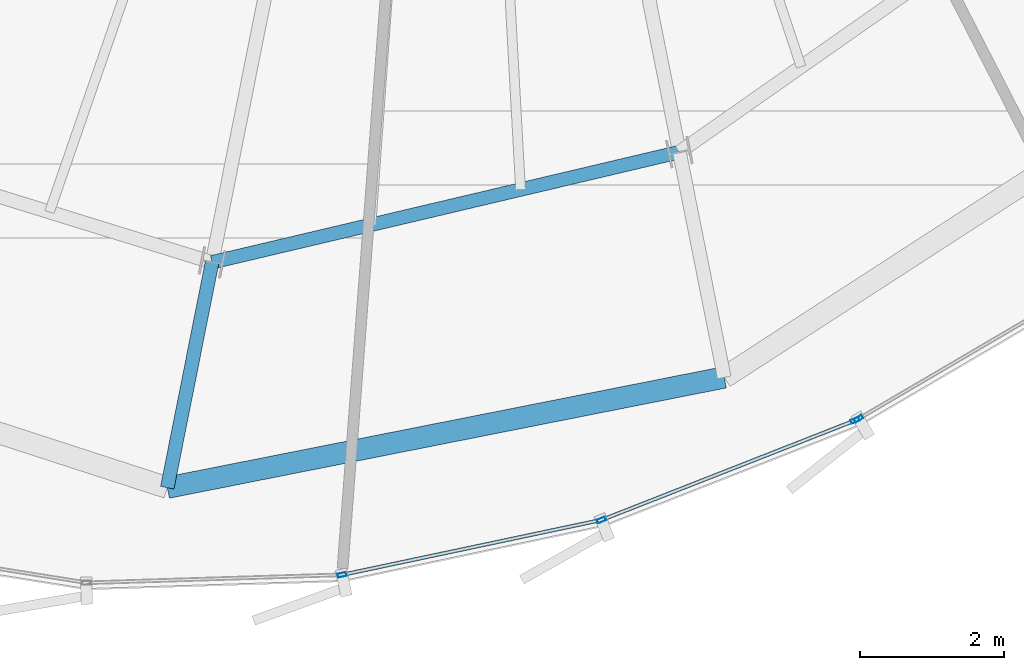
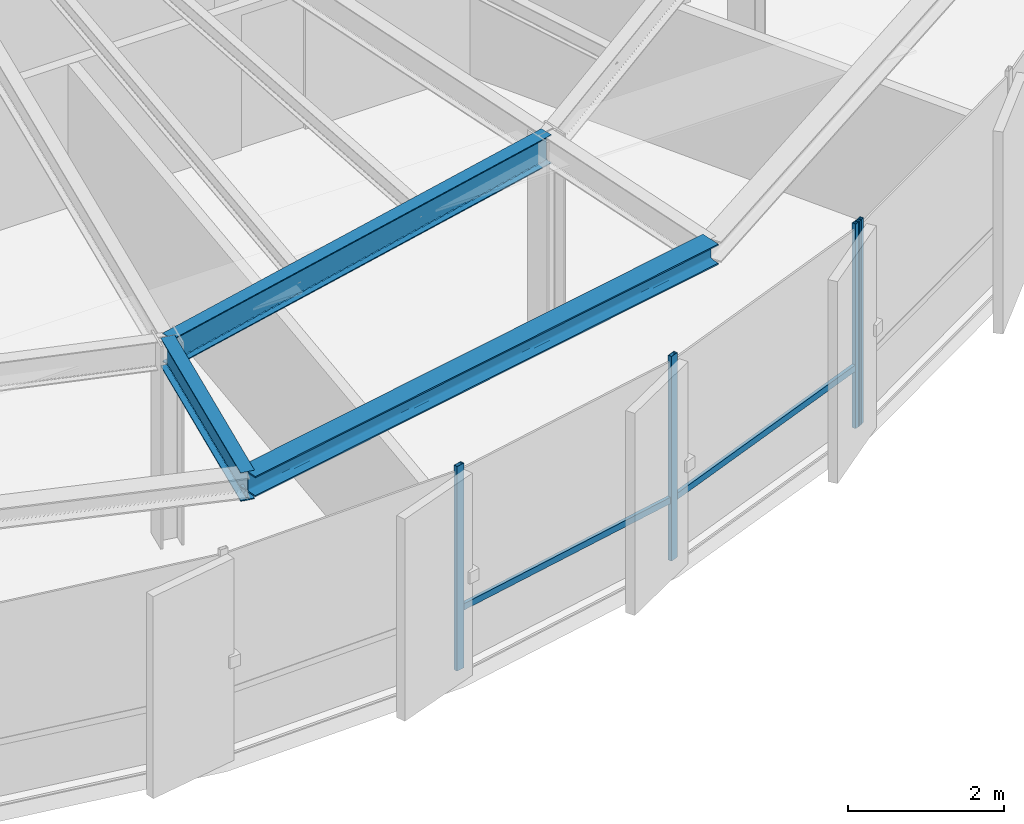
# One storey, part 6 of 36: 6 members, 3 beams, 2 elements without a shape of their own.
"""IFC4 building model written with IfcOpenShell, lengths in metres."""

from ifc_helpers import new_model, si_unit, direction, frame, origin, origin_2d, place, context, subcontext, project, spatial, hollow_rectangle, i_section, extrude, source, transform, mapped, material, layer, layer_set, material_profile, profile_set, type_object, element, aggregate, save


model = new_model("IFC4")

# Units and contexts
model_context = context("Model", 3, precision=1e-05, world=origin(), true_north=direction((0.0, 1.0)))
body_context = subcontext(model_context, "Body", "Model", "MODEL_VIEW")
ifc_project = project(units=[si_unit("LENGTHUNIT", "METRE"), si_unit("AREAUNIT", "SQUARE_METRE"), si_unit("VOLUMEUNIT", "CUBIC_METRE"), si_unit("PLANEANGLEUNIT", "RADIAN"), si_unit("MASSUNIT", "GRAM", prefix="KILO"), si_unit("THERMODYNAMICTEMPERATUREUNIT", "KELVIN")], contexts=[model_context])

# Site, building, storey
site_placement = place(None, origin())
site = spatial("IfcSite", under=ifc_project, at=site_placement, CompositionType="ELEMENT")
building_placement = place(site_placement, origin())
building = spatial("IfcBuilding", under=site, at=building_placement, Name="Kethvar Cultural Tower", CompositionType="ELEMENT")
storey_placement = place(building_placement, frame((0.0, 0.0, 242.199951171875)))
storey = spatial("IfcBuildingStorey", under=building, at=storey_placement, Name="L63", CompositionType="ELEMENT", Elevation=242.199951171875)

# Beams
ifc_material_1 = material(Name="Steel S355J2", Category="steel")
ifc_material_profile_1 = material_profile(ifc_material_1, i_section(OverallWidth=0.18994140625, OverallDepth=0.449951171875, WebThickness=0.009521484375, FlangeThickness=0.0146484375, FilletRadius=0.02099609375, at=origin_2d()), Name="Steel S355J2 — IPE450")
ifc_profile_set_1 = profile_set([ifc_material_profile_1], Name="Steel S355J2 — IPE450")
beam_type_1 = type_object("IfcBeamType", Name="BM-IPE450", PredefinedType="BEAM", material=ifc_profile_set_1)
shared_shape_1 = source(origin(), body_context, "Body", "SweptSolid", [
    extrude(i_section(OverallWidth=0.18994140625, OverallDepth=0.449951171875, WebThickness=0.009521484375, FlangeThickness=0.0146484375, FilletRadius=0.02099609375, at=origin_2d()), origin(), (0.0, 0.0, 1.0), 3.2001953125),
])
beam_1_placement = place(storey_placement, frame((43.392822265625, 10.67138671875, 2.983154296875), z_axis=(-0.195074368086, -0.980788453702, 0.0), x_axis=(0.980788453702, -0.195074368086, 0.0)))
element("IfcBeam", 1, at=beam_1_placement, inside=storey, type_object=beam_type_1, Name="L63 Perimeter Cantilever Beam RC-12", PredefinedType="BEAM", context=body_context, shape_type="MappedRepresentation", body=[
    mapped(shared_shape_1, transform((0.0, 0.0, 0.0), scale=1.0)),
])
shared_shape_2 = source(origin(), body_context, "Body", "SweptSolid", [
    extrude(i_section(OverallWidth=0.18994140625, OverallDepth=0.449951171875, WebThickness=0.009521484375, FlangeThickness=0.0146484375, FilletRadius=0.02099609375, at=origin_2d()), origin(), (0.0, 0.0, 1.0), 6.6875),
])
beam_2_placement = place(storey_placement, frame((43.392822265625, 10.67138671875, 2.983154296875), z_axis=(0.973286301494, 0.22959480683, 0.0), x_axis=(-0.22959480683, 0.973286301494, 0.0)))
element("IfcBeam", 2, at=beam_2_placement, inside=storey, type_object=beam_type_1, Name="L63 Column Ring Tie Beam CR-12", PredefinedType="BEAM", context=body_context, shape_type="MappedRepresentation", body=[
    mapped(shared_shape_2, transform((0.0, 0.0, 0.0), scale=1.0)),
])
ifc_material_profile_2 = material_profile(ifc_material_1, i_section(OverallWidth=0.300048828125, OverallDepth=0.320068359375, WebThickness=0.011474609375, FlangeThickness=0.0205078125, FilletRadius=0.027099609375, at=origin_2d()), Name="Steel S355J2 — HEB320")
ifc_profile_set_2 = profile_set([ifc_material_profile_2], Name="Steel S355J2 — HEB320")
beam_type_2 = type_object("IfcBeamType", Name="BM-SP320", PredefinedType="SPANDREL", material=ifc_profile_set_2)
shared_shape_3 = source(origin(), body_context, "Body", "SweptSolid", [
    extrude(i_section(OverallWidth=0.300048828125, OverallDepth=0.320068359375, WebThickness=0.011474609375, FlangeThickness=0.0205078125, FilletRadius=0.027099609375, at=origin_2d()), origin(), (0.0, 0.0, 1.0), 7.907958984375),
])
beam_3_placement = place(storey_placement, frame((42.7685546875, 7.53271484375, 3.048095703125), z_axis=(0.980963515828, 0.194192122948, 0.0), x_axis=(-0.194192122948, 0.980963515828, 0.0)))
element("IfcBeam", 3, at=beam_3_placement, inside=storey, type_object=beam_type_2, Name="L63 Perimeter Spandrel Beam SP-12", PredefinedType="SPANDREL", context=body_context, shape_type="MappedRepresentation", body=[
    mapped(shared_shape_3, transform((0.0, 0.0, 0.0), scale=1.0)),
])

# Curtain wall, members
ifc_material_2 = material(Name="Aluminium 6063-T6", Category="aluminium")
ifc_layer = layer(ifc_material_2, 0.179931640625, Name="Aluminium 6063-T6", Category="aluminium")
ifc_layer_set = layer_set([ifc_layer], Name="Aluminium 6063-T6 (180 mm)")
curtain_wall_type = type_object("IfcCurtainWallType", Name="CW-SYS-05-Z56", PredefinedType="NOTDEFINED", material=ifc_layer_set)
curtain_wall_1_placement = place(storey_placement, origin())
curtain_wall_1 = element("IfcCurtainWall", 4, at=curtain_wall_1_placement, inside=storey, type_object=curtain_wall_type, Name="L63 Curtain Wall Run 04", PredefinedType="NOTDEFINED")
ifc_material_profile_3 = material_profile(ifc_material_2, hollow_rectangle(XDim=0.054931640625, YDim=0.1201171875, WallThickness=0.00390625, at=origin_2d()), Name="Aluminium 6063-T6 — RHS120x55x4")
ifc_profile_set_3 = profile_set([ifc_material_profile_3], Name="Aluminium 6063-T6 — RHS120x55x4")
member_type_1 = type_object("IfcMemberType", Name="CW-SYS-05-Z56-MUL", PredefinedType="MULLION", material=ifc_profile_set_3)
shared_shape_4 = source(origin(), body_context, "Body", "SweptSolid", [
    extrude(hollow_rectangle(XDim=0.054931640625, YDim=0.1201171875, WallThickness=0.00390625, at=origin_2d()), origin(), (0.0, 0.0, 1.0), 3.2099609375),
])
member_1_placement = place(storey_placement, frame((45.203369140625, 6.318115234375, 0.0), z_axis=(0.0, 0.0, 1.0), x_axis=(-0.207143391442, 0.978310592492, 0.0)))
member_1 = element("IfcMember", 5, at=member_1_placement, type_object=member_type_1, Name="CW-L63-R04 Mullion 5", PredefinedType="MULLION", context=body_context, shape_type="MappedRepresentation", body=[
    mapped(shared_shape_4, transform((0.0, 0.0, 0.0), scale=1.0)),
])
member_2_placement = place(storey_placement, frame((48.81591796875, 7.081787109375, 0.0), z_axis=(0.0, 0.0, 1.0), x_axis=(-0.365591676215, 0.930775336095, 0.0)))
member_2 = element("IfcMember", 6, at=member_2_placement, type_object=member_type_1, Name="CW-L63-R04 Mullion 6", PredefinedType="MULLION", context=body_context, shape_type="MappedRepresentation", body=[
    mapped(shared_shape_4, transform((0.0, 0.0, 0.0), scale=1.0)),
])
member_3_placement = place(storey_placement, frame((52.348876953125, 8.469482421875, 0.0), z_axis=(0.0, 0.0, 1.0), x_axis=(-0.365591676215, 0.930775336095, 0.0)))
member_3 = element("IfcMember", 7, at=member_3_placement, type_object=member_type_1, Name="CW-L63-R04 Mullion 7", PredefinedType="MULLION", context=body_context, shape_type="MappedRepresentation", body=[
    mapped(shared_shape_4, transform((0.0, 0.0, 0.0), scale=1.0)),
])

# Curtain wall, member
curtain_wall_2_placement = place(storey_placement, origin())
curtain_wall_2 = element("IfcCurtainWall", 8, at=curtain_wall_2_placement, inside=storey, type_object=curtain_wall_type, Name="L63 Curtain Wall Run 05", PredefinedType="NOTDEFINED")
member_4_placement = place(storey_placement, frame((52.39892578125, 8.49365234375, 0.0), z_axis=(0.0, 0.0, 1.0), x_axis=(-0.505732659231, 0.862690255763, 0.0)))
member_4 = element("IfcMember", 9, at=member_4_placement, type_object=member_type_1, Name="CW-L63-R05 Mullion 1", PredefinedType="MULLION", context=body_context, shape_type="MappedRepresentation", body=[
    mapped(shared_shape_4, transform((0.0, 0.0, 0.0), scale=1.0)),
])
aggregate(curtain_wall_2, [member_4])

# Member
ifc_material_profile_4 = material_profile(ifc_material_2, hollow_rectangle(XDim=0.050048828125, YDim=0.10009765625, WallThickness=0.00390625, at=origin_2d()), Name="Aluminium 6063-T6 — RHS100x50x4")
ifc_profile_set_4 = profile_set([ifc_material_profile_4], Name="Aluminium 6063-T6 — RHS100x50x4")
member_type_2 = type_object("IfcMemberType", Name="CW-SYS-05-Z56-TRN", PredefinedType="USERDEFINED", material=ifc_profile_set_4)
shared_shape_5 = source(origin(), body_context, "Body", "SweptSolid", [
    extrude(hollow_rectangle(XDim=0.050048828125, YDim=0.10009765625, WallThickness=0.00390625, at=origin_2d()), origin(), (0.0, 0.0, 1.0), 3.6298828125),
])
member_5_placement = place(storey_placement, frame((45.241943359375, 6.326416015625, 0.949951171875), z_axis=(0.978306468298, 0.207162868502, 0.0), x_axis=(-0.207162868502, 0.978306468298, 0.0)))
member_5 = element("IfcMember", 10, at=member_5_placement, type_object=member_type_2, Name="CW-L63-R04 Transom 5", ObjectType="TRANSOM", PredefinedType="USERDEFINED", context=body_context, shape_type="MappedRepresentation", body=[
    mapped(shared_shape_5, transform((0.0, 0.0, 0.0), scale=1.0)),
])

shared_shape_6 = source(origin(), body_context, "Body", "SweptSolid", [
    extrude(hollow_rectangle(XDim=0.050048828125, YDim=0.10009765625, WallThickness=0.00390625, at=origin_2d()), origin(), (0.0, 0.0, 1.0), 3.752197265625),
])
member_6_placement = place(storey_placement, frame((48.852783203125, 7.09619140625, 0.949951171875), z_axis=(0.930769682021, 0.365606070834, 0.0), x_axis=(-0.365606070834, 0.930769682021, 0.0)))
member_6 = element("IfcMember", 11, at=member_6_placement, type_object=member_type_2, Name="CW-L63-R04 Transom 6", ObjectType="TRANSOM", PredefinedType="USERDEFINED", context=body_context, shape_type="MappedRepresentation", body=[
    mapped(shared_shape_6, transform((0.0, 0.0, 0.0), scale=1.0)),
])

aggregate(curtain_wall_1, [member_1, member_2, member_3, member_5, member_6])

save(model, "model.ifc")
